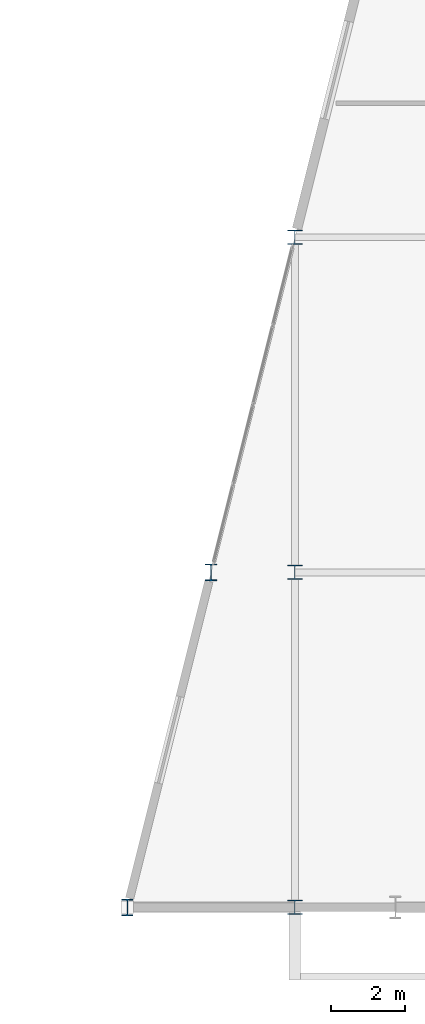
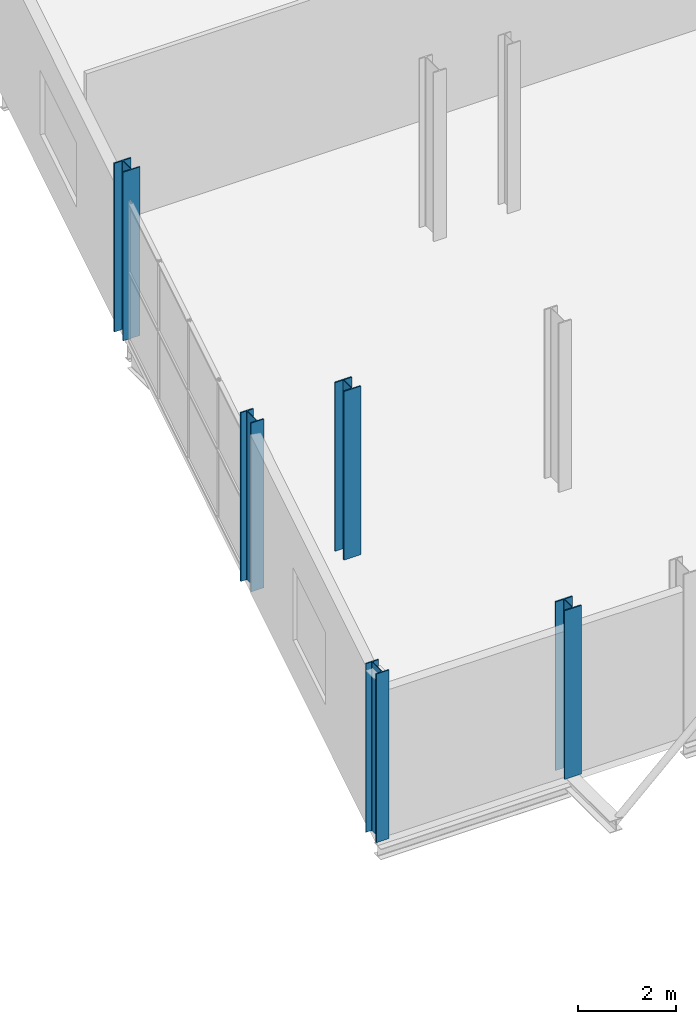
# One storey, part 2 of 103: 5 columns.
"""IFC4 building model written with IfcOpenShell, lengths in metres."""

from ifc_helpers import new_model, si_unit, direction, frame, origin, origin_2d, place, context, subcontext, project, spatial, i_section, extrude, material, material_profile, profile_set, type_object, element, save


model = new_model("IFC4")

# Units and contexts
model_context = context("Model", 3, precision=1e-05, world=origin(), true_north=direction((0.0, 1.0)))
body_context = subcontext(model_context, "Body", "Model", "MODEL_VIEW")
ifc_project = project(units=[si_unit("LENGTHUNIT", "METRE"), si_unit("AREAUNIT", "SQUARE_METRE"), si_unit("VOLUMEUNIT", "CUBIC_METRE"), si_unit("PLANEANGLEUNIT", "RADIAN"), si_unit("MASSUNIT", "GRAM", prefix="KILO")], contexts=[model_context])

# Site, building, storey
site_placement = place(None, origin())
site = spatial("IfcSite", under=ifc_project, at=site_placement, CompositionType="ELEMENT")
building_placement = place(site_placement, origin())
building = spatial("IfcBuilding", under=site, at=building_placement, Name="Deido Ridge Mobility Hub", CompositionType="ELEMENT")
storey_placement = place(building_placement, frame((0.0, 0.0, 12.60009765625)))
storey = spatial("IfcBuildingStorey", under=building, at=storey_placement, Name="L03", CompositionType="ELEMENT", Elevation=12.60009765625)

# Columns
ifc_material = material(Name="Steel S355J2 EN 10025-2", Category="steel")
ifc_material_profile_1 = material_profile(ifc_material, i_section(OverallWidth=0.39892578125, OverallDepth=0.39306640625, WebThickness=0.017578125, FlangeThickness=0.028076171875, FilletRadius=0.014892578125, at=origin_2d()), Name="HD 400x287")
ifc_profile_set_1 = profile_set([ifc_material_profile_1], Name="Steel S355J2 EN 10025-2")
column_type_1 = type_object("IfcColumnType", Name="COL-HD400-287", PredefinedType="COLUMN", material=ifc_profile_set_1)
for number, where, z_axis, x_axis, name in (
    (1, (126.0, 0.0, 0.0), (0.0, 0.0, 1.0), (1.0, 0.0, 0.0), "Structural column C2"),
    (2, (126.0, 9.0, 0.0), (0.0, 0.0, 1.0), (1.0, 0.0, 0.0), "Structural column C2"),
    (3, (126.0, 18.0, 0.0), (0.0, 0.0, 1.0), (1.0, 0.0, 0.0), "Structural column C2"),
):
    element("IfcColumn", number, at=place(storey_placement, frame(where, z_axis=z_axis, x_axis=x_axis)), inside=storey, type_object=column_type_1, Name=name, PredefinedType="COLUMN", context=body_context, shape_type="SweptSolid", body=[
        extrude(i_section(OverallWidth=0.39892578125, OverallDepth=0.39306640625, WebThickness=0.017578125, FlangeThickness=0.028076171875, FilletRadius=0.014892578125, at=origin_2d()), origin(), (0.0, 0.0, 1.0), 4.199951171875),
    ])
ifc_material_profile_2 = material_profile(ifc_material, i_section(OverallWidth=0.300048828125, OverallDepth=0.449951171875, WebThickness=0.013916015625, FlangeThickness=0.02587890625, FilletRadius=0.027099609375, at=origin_2d()), Name="HEB 450")
ifc_profile_set_2 = profile_set([ifc_material_profile_2], Name="Steel S355J2 EN 10025-2")
column_type_2 = type_object("IfcColumnType", Name="COL-HEB450", PredefinedType="COLUMN", material=ifc_profile_set_2)
for number, where, z_axis, x_axis, name in (
    (4, (121.5, 0.0, 0.0), (0.0, 0.0, 1.0), (1.0, 0.0, 0.0), "Structural column C6"),
    (5, (123.75, 9.0, 0.0), (0.0, 0.0, 1.0), (1.0, 0.0, 0.0), "Structural column C6"),
):
    element("IfcColumn", number, at=place(storey_placement, frame(where, z_axis=z_axis, x_axis=x_axis)), inside=storey, type_object=column_type_2, Name=name, PredefinedType="COLUMN", context=body_context, shape_type="SweptSolid", body=[
        extrude(i_section(OverallWidth=0.300048828125, OverallDepth=0.449951171875, WebThickness=0.013916015625, FlangeThickness=0.02587890625, FilletRadius=0.027099609375, at=origin_2d()), origin(), (0.0, 0.0, 1.0), 4.199951171875),
    ])

save(model, "model.ifc")
